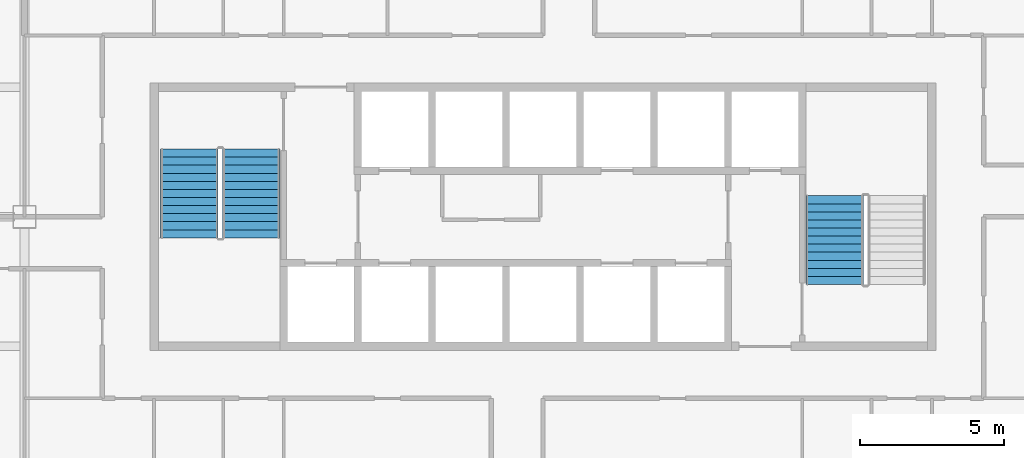
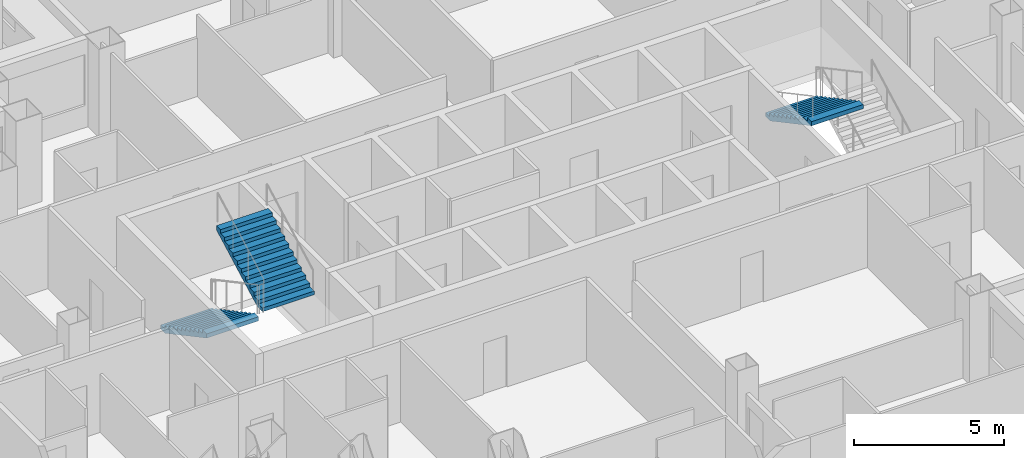
# One storey, part 11 of 19: 3 stair flights, 2 elements without a shape of their own.
"""IFC4 building model written with IfcOpenShell, lengths in metres."""

from ifc_helpers import new_model, si_unit, direction, frame, origin, place, context, subcontext, project, spatial, polygons, material, type_object, element, aggregate, save


model = new_model("IFC4")

# Units and contexts
model_context = context("Model", 3, precision=1e-05, world=origin(), true_north=direction((0.0, 1.0)))
body_context = subcontext(model_context, "Body", "Model", "MODEL_VIEW")
ifc_project = project(units=[si_unit("LENGTHUNIT", "METRE"), si_unit("AREAUNIT", "SQUARE_METRE"), si_unit("VOLUMEUNIT", "CUBIC_METRE"), si_unit("PLANEANGLEUNIT", "RADIAN"), si_unit("MASSUNIT", "GRAM", prefix="KILO")], contexts=[model_context])

# Site, building, storey
site_placement = place(None, origin())
site = spatial("IfcSite", under=ifc_project, at=site_placement, CompositionType="ELEMENT")
building_placement = place(site_placement, origin())
building = spatial("IfcBuilding", under=site, at=building_placement, Name="Caravel Reach Hotel and Residences", CompositionType="ELEMENT")
storey_placement = place(building_placement, frame((0.0, 0.0, 74.39990234375)))
storey = spatial("IfcBuildingStorey", under=building, at=storey_placement, Name="L17", CompositionType="ELEMENT", Elevation=74.39990234375)

# Stair, stair flights
ifc_material_1 = material(Name="Concrete C40", Category="concrete")
stair_type = type_object("IfcStairType", Name="Core stair", PredefinedType="HALF_TURN_STAIR", material=ifc_material_1)
stair_1_placement = place(storey_placement, origin())
stair_1 = element("IfcStair", 1, at=stair_1_placement, inside=storey, type_object=stair_type, Name="L17 Exit stair A", PredefinedType="HALF_TURN_STAIR")
ifc_material_2 = material(Name="Concrete C40", Category="concrete")
stair_flight_type = type_object("IfcStairFlightType", Name="Core stair flight", PredefinedType="STRAIGHT", material=ifc_material_2)
stair_flight_1_placement = place(storey_placement, frame((19.22509765625, 29.35009765625, 0.0), z_axis=(0.0, 0.0, 1.0), x_axis=(0.0, -1.0, 0.0)))
stair_flight_1 = element("IfcStairFlight", 2, at=stair_flight_1_placement, type_object=stair_flight_type, Name="ST-A flight 1", NumberOfRisers=12, NumberOfTreads=11, PredefinedType="STRAIGHT", RiserHeight=0.15, TreadLength=0.28, context=body_context, shape_type="Tessellation", body=[
    polygons([(0.3174408016601862, 1.0, 0.0), (0.3174408016601862, 0.6666666666666667, 0.0), (0.3174408016601862, 0.33333333333333337, 0.0), (0.3174408016601862, 0.0, 0.0), (0.3174408016601862, -0.33333333333333326, 0.0), (0.3174408016601862, -0.6666666666666667, 0.0), (0.3174408016601862, -1.0, 0.0), (3.081, 1.0, 1.479942427682043), (3.081, 0.6666666666666667, 1.479942427682043), (3.081, 0.33333333333333337, 1.479942427682043), (3.081, 0.0, 1.479942427682043), (3.081, -0.33333333333333326, 1.479942427682043), (3.081, -0.6666666666666667, 1.479942427682043), (3.081, -1.0, 1.479942427682043), (3.081, 1.0, 1.65), (3.081, 0.6666666666666667, 1.65), (3.081, 0.33333333333333337, 1.65), (3.081, 0.0, 1.65), (3.081, -0.33333333333333326, 1.65), (3.081, -0.6666666666666667, 1.65), (3.081, -1.0, 1.65), (2.8000000000000003, 1.0, 1.65), (2.8000000000000003, 0.6666666666666667, 1.65), (2.8000000000000003, 0.33333333333333337, 1.65), (2.8000000000000003, 0.0, 1.65), (2.8000000000000003, -0.33333333333333326, 1.65), (2.8000000000000003, -0.6666666666666667, 1.65), (2.8000000000000003, -1.0, 1.65), (2.8000000000000003, 1.0, 1.5), (2.8000000000000003, 0.6666666666666667, 1.5), (2.8000000000000003, 0.33333333333333337, 1.5), (2.8000000000000003, 0.0, 1.5), (2.8000000000000003, -0.33333333333333326, 1.5), (2.8000000000000003, -0.6666666666666667, 1.5), (2.8000000000000003, -1.0, 1.5), (2.5200000000000005, 1.0, 1.5), (2.5200000000000005, 0.6666666666666667, 1.5), (2.5200000000000005, 0.33333333333333337, 1.5), (2.5200000000000005, 0.0, 1.5), (2.5200000000000005, -0.33333333333333326, 1.5), (2.5200000000000005, -0.6666666666666667, 1.5), (2.5200000000000005, -1.0, 1.5), (2.5200000000000005, 1.0, 1.3499999999999999), (2.5200000000000005, 0.6666666666666667, 1.3499999999999999), (2.5200000000000005, 0.33333333333333337, 1.3499999999999999), (2.5200000000000005, 0.0, 1.3499999999999999), (2.5200000000000005, -0.33333333333333326, 1.3499999999999999), (2.5200000000000005, -0.6666666666666667, 1.3499999999999999), (2.5200000000000005, -1.0, 1.3499999999999999), (2.24, 1.0, 1.3499999999999999), (2.24, 0.6666666666666667, 1.3499999999999999), (2.24, 0.33333333333333337, 1.3499999999999999), (2.24, 0.0, 1.3499999999999999), (2.24, -0.33333333333333326, 1.3499999999999999), (2.24, -0.6666666666666667, 1.3499999999999999), (2.24, -1.0, 1.3499999999999999), (2.24, 1.0, 1.2), (2.24, 0.6666666666666667, 1.2), (2.24, 0.33333333333333337, 1.2), (2.24, 0.0, 1.2), (2.24, -0.33333333333333326, 1.2), (2.24, -0.6666666666666667, 1.2), (2.24, -1.0, 1.2), (1.9600000000000002, 1.0, 1.2), (1.9600000000000002, 0.6666666666666667, 1.2), (1.9600000000000002, 0.33333333333333337, 1.2), (1.9600000000000002, 0.0, 1.2), (1.9600000000000002, -0.33333333333333326, 1.2), (1.9600000000000002, -0.6666666666666667, 1.2), (1.9600000000000002, -1.0, 1.2), (1.9600000000000002, 1.0, 1.05), (1.9600000000000002, 0.6666666666666667, 1.05), (1.9600000000000002, 0.33333333333333337, 1.05), (1.9600000000000002, 0.0, 1.05), (1.9600000000000002, -0.33333333333333326, 1.05), (1.9600000000000002, -0.6666666666666667, 1.05), (1.9600000000000002, -1.0, 1.05), (1.6800000000000002, 1.0, 1.05), (1.6800000000000002, 0.6666666666666667, 1.05), (1.6800000000000002, 0.33333333333333337, 1.05), (1.6800000000000002, 0.0, 1.05), (1.6800000000000002, -0.33333333333333326, 1.05), (1.6800000000000002, -0.6666666666666667, 1.05), (1.6800000000000002, -1.0, 1.05), (1.6800000000000002, 1.0, 0.8999999999999999), (1.6800000000000002, 0.6666666666666667, 0.8999999999999999), (1.6800000000000002, 0.33333333333333337, 0.8999999999999999), (1.6800000000000002, 0.0, 0.8999999999999999), (1.6800000000000002, -0.33333333333333326, 0.8999999999999999), (1.6800000000000002, -0.6666666666666667, 0.8999999999999999), (1.6800000000000002, -1.0, 0.8999999999999999), (1.4000000000000001, 1.0, 0.8999999999999999), (1.4000000000000001, 0.6666666666666667, 0.8999999999999999), (1.4000000000000001, 0.33333333333333337, 0.8999999999999999), (1.4000000000000001, 0.0, 0.8999999999999999), (1.4000000000000001, -0.33333333333333326, 0.8999999999999999), (1.4000000000000001, -0.6666666666666667, 0.8999999999999999), (1.4000000000000001, -1.0, 0.8999999999999999), (1.4000000000000001, 1.0, 0.75), (1.4000000000000001, 0.6666666666666667, 0.75), (1.4000000000000001, 0.33333333333333337, 0.75), (1.4000000000000001, 0.0, 0.75), (1.4000000000000001, -0.33333333333333326, 0.75), (1.4000000000000001, -0.6666666666666667, 0.75), (1.4000000000000001, -1.0, 0.75), (1.12, 1.0, 0.75), (1.12, 0.6666666666666667, 0.75), (1.12, 0.33333333333333337, 0.75), (1.12, 0.0, 0.75), (1.12, -0.33333333333333326, 0.75), (1.12, -0.6666666666666667, 0.75), (1.12, -1.0, 0.75), (1.12, 1.0, 0.6), (1.12, 0.6666666666666667, 0.6), (1.12, 0.33333333333333337, 0.6), (1.12, 0.0, 0.6), (1.12, -0.33333333333333326, 0.6), (1.12, -0.6666666666666667, 0.6), (1.12, -1.0, 0.6), (0.8400000000000001, 1.0, 0.6), (0.8400000000000001, 0.6666666666666667, 0.6), (0.8400000000000001, 0.33333333333333337, 0.6), (0.8400000000000001, 0.0, 0.6), (0.8400000000000001, -0.33333333333333326, 0.6), (0.8400000000000001, -0.6666666666666667, 0.6), (0.8400000000000001, -1.0, 0.6), (0.8400000000000001, 1.0, 0.44999999999999996), (0.8400000000000001, 0.6666666666666667, 0.44999999999999996), (0.8400000000000001, 0.33333333333333337, 0.44999999999999996), (0.8400000000000001, 0.0, 0.44999999999999996), (0.8400000000000001, -0.33333333333333326, 0.44999999999999996), (0.8400000000000001, -0.6666666666666667, 0.44999999999999996), (0.8400000000000001, -1.0, 0.44999999999999996), (0.56, 1.0, 0.44999999999999996), (0.56, 0.6666666666666667, 0.44999999999999996), (0.56, 0.33333333333333337, 0.44999999999999996), (0.56, 0.0, 0.44999999999999996), (0.56, -0.33333333333333326, 0.44999999999999996), (0.56, -0.6666666666666667, 0.44999999999999996), (0.56, -1.0, 0.44999999999999996), (0.56, 1.0, 0.3), (0.56, 0.6666666666666667, 0.3), (0.56, 0.33333333333333337, 0.3), (0.56, 0.0, 0.3), (0.56, -0.33333333333333326, 0.3), (0.56, -0.6666666666666667, 0.3), (0.56, -1.0, 0.3), (0.28, 1.0, 0.3), (0.28, 0.6666666666666667, 0.3), (0.28, 0.33333333333333337, 0.3), (0.28, 0.0, 0.3), (0.28, -0.33333333333333326, 0.3), (0.28, -0.6666666666666667, 0.3), (0.28, -1.0, 0.3), (0.28, 1.0, 0.15), (0.28, 0.6666666666666667, 0.15), (0.28, 0.33333333333333337, 0.15), (0.28, 0.0, 0.15), (0.28, -0.33333333333333326, 0.15), (0.28, -0.6666666666666667, 0.15), (0.28, -1.0, 0.15), (-0.001, 1.0, 0.15), (-0.001, 0.6666666666666667, 0.15), (-0.001, 0.33333333333333337, 0.15), (-0.001, 0.0, 0.15), (-0.001, -0.33333333333333326, 0.15), (-0.001, -0.6666666666666667, 0.15), (-0.001, -1.0, 0.15), (-0.001, 1.0, 0.0), (-0.001, 0.6666666666666667, 0.0), (-0.001, 0.33333333333333337, 0.0), (-0.001, 0.0, 0.0), (-0.001, -0.33333333333333326, 0.0), (-0.001, -0.6666666666666667, 0.0), (-0.001, -1.0, 0.0)], [[[169, 162, 155, 148, 141, 134, 127, 120, 113, 106, 99, 92, 85, 78, 71, 64, 57, 50, 43, 36, 29, 22, 15, 8, 1]], [[7, 14, 21, 28, 35, 42, 49, 56, 63, 70, 77, 84, 91, 98, 105, 112, 119, 126, 133, 140, 147, 154, 161, 168, 175]], [[1, 8, 9, 2]], [[2, 9, 10, 3]], [[3, 10, 11, 4]], [[4, 11, 12, 5]], [[5, 12, 13, 6]], [[6, 13, 14, 7]], [[8, 15, 16, 9]], [[9, 16, 17, 10]], [[10, 17, 18, 11]], [[11, 18, 19, 12]], [[12, 19, 20, 13]], [[13, 20, 21, 14]], [[15, 22, 23, 16]], [[16, 23, 24, 17]], [[17, 24, 25, 18]], [[18, 25, 26, 19]], [[19, 26, 27, 20]], [[20, 27, 28, 21]], [[22, 29, 30, 23]], [[23, 30, 31, 24]], [[24, 31, 32, 25]], [[25, 32, 33, 26]], [[26, 33, 34, 27]], [[27, 34, 35, 28]], [[29, 36, 37, 30]], [[30, 37, 38, 31]], [[31, 38, 39, 32]], [[32, 39, 40, 33]], [[33, 40, 41, 34]], [[34, 41, 42, 35]], [[36, 43, 44, 37]], [[37, 44, 45, 38]], [[38, 45, 46, 39]], [[39, 46, 47, 40]], [[40, 47, 48, 41]], [[41, 48, 49, 42]], [[43, 50, 51, 44]], [[44, 51, 52, 45]], [[45, 52, 53, 46]], [[46, 53, 54, 47]], [[47, 54, 55, 48]], [[48, 55, 56, 49]], [[50, 57, 58, 51]], [[51, 58, 59, 52]], [[52, 59, 60, 53]], [[53, 60, 61, 54]], [[54, 61, 62, 55]], [[55, 62, 63, 56]], [[57, 64, 65, 58]], [[58, 65, 66, 59]], [[59, 66, 67, 60]], [[60, 67, 68, 61]], [[61, 68, 69, 62]], [[62, 69, 70, 63]], [[64, 71, 72, 65]], [[65, 72, 73, 66]], [[66, 73, 74, 67]], [[67, 74, 75, 68]], [[68, 75, 76, 69]], [[69, 76, 77, 70]], [[71, 78, 79, 72]], [[72, 79, 80, 73]], [[73, 80, 81, 74]], [[74, 81, 82, 75]], [[75, 82, 83, 76]], [[76, 83, 84, 77]], [[78, 85, 86, 79]], [[79, 86, 87, 80]], [[80, 87, 88, 81]], [[81, 88, 89, 82]], [[82, 89, 90, 83]], [[83, 90, 91, 84]], [[85, 92, 93, 86]], [[86, 93, 94, 87]], [[87, 94, 95, 88]], [[88, 95, 96, 89]], [[89, 96, 97, 90]], [[90, 97, 98, 91]], [[92, 99, 100, 93]], [[93, 100, 101, 94]], [[94, 101, 102, 95]], [[95, 102, 103, 96]], [[96, 103, 104, 97]], [[97, 104, 105, 98]], [[99, 106, 107, 100]], [[100, 107, 108, 101]], [[101, 108, 109, 102]], [[102, 109, 110, 103]], [[103, 110, 111, 104]], [[104, 111, 112, 105]], [[106, 113, 114, 107]], [[107, 114, 115, 108]], [[108, 115, 116, 109]], [[109, 116, 117, 110]], [[110, 117, 118, 111]], [[111, 118, 119, 112]], [[113, 120, 121, 114]], [[114, 121, 122, 115]], [[115, 122, 123, 116]], [[116, 123, 124, 117]], [[117, 124, 125, 118]], [[118, 125, 126, 119]], [[120, 127, 128, 121]], [[121, 128, 129, 122]], [[122, 129, 130, 123]], [[123, 130, 131, 124]], [[124, 131, 132, 125]], [[125, 132, 133, 126]], [[127, 134, 135, 128]], [[128, 135, 136, 129]], [[129, 136, 137, 130]], [[130, 137, 138, 131]], [[131, 138, 139, 132]], [[132, 139, 140, 133]], [[134, 141, 142, 135]], [[135, 142, 143, 136]], [[136, 143, 144, 137]], [[137, 144, 145, 138]], [[138, 145, 146, 139]], [[139, 146, 147, 140]], [[141, 148, 149, 142]], [[142, 149, 150, 143]], [[143, 150, 151, 144]], [[144, 151, 152, 145]], [[145, 152, 153, 146]], [[146, 153, 154, 147]], [[148, 155, 156, 149]], [[149, 156, 157, 150]], [[150, 157, 158, 151]], [[151, 158, 159, 152]], [[152, 159, 160, 153]], [[153, 160, 161, 154]], [[155, 162, 163, 156]], [[156, 163, 164, 157]], [[157, 164, 165, 158]], [[158, 165, 166, 159]], [[159, 166, 167, 160]], [[160, 167, 168, 161]], [[162, 169, 170, 163]], [[163, 170, 171, 164]], [[164, 171, 172, 165]], [[165, 172, 173, 166]], [[166, 173, 174, 167]], [[167, 174, 175, 168]], [[169, 1, 2, 170]], [[170, 2, 3, 171]], [[171, 3, 4, 172]], [[172, 4, 5, 173]], [[173, 5, 6, 174]], [[174, 6, 7, 175]]], closed=True),
])
stair_flight_2_placement = place(storey_placement, frame((21.375, 26.27001953125, 1.800048828125), z_axis=(0.0, 0.0, 1.0), x_axis=(0.0, 1.0, 0.0)))
stair_flight_2 = element("IfcStairFlight", 3, at=stair_flight_2_placement, type_object=stair_flight_type, Name="ST-A flight 2", NumberOfRisers=12, NumberOfTreads=11, PredefinedType="STRAIGHT", RiserHeight=0.15, TreadLength=0.28, context=body_context, shape_type="Tessellation", body=[
    polygons([(0.3174408016601862, 1.0, 0.0), (0.3174408016601862, 0.6666666666666667, 0.0), (0.3174408016601862, 0.33333333333333337, 0.0), (0.3174408016601862, 0.0, 0.0), (0.3174408016601862, -0.33333333333333326, 0.0), (0.3174408016601862, -0.6666666666666667, 0.0), (0.3174408016601862, -1.0, 0.0), (3.081, 1.0, 1.479942427682043), (3.081, 0.6666666666666667, 1.479942427682043), (3.081, 0.33333333333333337, 1.479942427682043), (3.081, 0.0, 1.479942427682043), (3.081, -0.33333333333333326, 1.479942427682043), (3.081, -0.6666666666666667, 1.479942427682043), (3.081, -1.0, 1.479942427682043), (3.081, 1.0, 1.65), (3.081, 0.6666666666666667, 1.65), (3.081, 0.33333333333333337, 1.65), (3.081, 0.0, 1.65), (3.081, -0.33333333333333326, 1.65), (3.081, -0.6666666666666667, 1.65), (3.081, -1.0, 1.65), (2.8000000000000003, 1.0, 1.65), (2.8000000000000003, 0.6666666666666667, 1.65), (2.8000000000000003, 0.33333333333333337, 1.65), (2.8000000000000003, 0.0, 1.65), (2.8000000000000003, -0.33333333333333326, 1.65), (2.8000000000000003, -0.6666666666666667, 1.65), (2.8000000000000003, -1.0, 1.65), (2.8000000000000003, 1.0, 1.5), (2.8000000000000003, 0.6666666666666667, 1.5), (2.8000000000000003, 0.33333333333333337, 1.5), (2.8000000000000003, 0.0, 1.5), (2.8000000000000003, -0.33333333333333326, 1.5), (2.8000000000000003, -0.6666666666666667, 1.5), (2.8000000000000003, -1.0, 1.5), (2.5200000000000005, 1.0, 1.5), (2.5200000000000005, 0.6666666666666667, 1.5), (2.5200000000000005, 0.33333333333333337, 1.5), (2.5200000000000005, 0.0, 1.5), (2.5200000000000005, -0.33333333333333326, 1.5), (2.5200000000000005, -0.6666666666666667, 1.5), (2.5200000000000005, -1.0, 1.5), (2.5200000000000005, 1.0, 1.3499999999999999), (2.5200000000000005, 0.6666666666666667, 1.3499999999999999), (2.5200000000000005, 0.33333333333333337, 1.3499999999999999), (2.5200000000000005, 0.0, 1.3499999999999999), (2.5200000000000005, -0.33333333333333326, 1.3499999999999999), (2.5200000000000005, -0.6666666666666667, 1.3499999999999999), (2.5200000000000005, -1.0, 1.3499999999999999), (2.24, 1.0, 1.3499999999999999), (2.24, 0.6666666666666667, 1.3499999999999999), (2.24, 0.33333333333333337, 1.3499999999999999), (2.24, 0.0, 1.3499999999999999), (2.24, -0.33333333333333326, 1.3499999999999999), (2.24, -0.6666666666666667, 1.3499999999999999), (2.24, -1.0, 1.3499999999999999), (2.24, 1.0, 1.2), (2.24, 0.6666666666666667, 1.2), (2.24, 0.33333333333333337, 1.2), (2.24, 0.0, 1.2), (2.24, -0.33333333333333326, 1.2), (2.24, -0.6666666666666667, 1.2), (2.24, -1.0, 1.2), (1.9600000000000002, 1.0, 1.2), (1.9600000000000002, 0.6666666666666667, 1.2), (1.9600000000000002, 0.33333333333333337, 1.2), (1.9600000000000002, 0.0, 1.2), (1.9600000000000002, -0.33333333333333326, 1.2), (1.9600000000000002, -0.6666666666666667, 1.2), (1.9600000000000002, -1.0, 1.2), (1.9600000000000002, 1.0, 1.05), (1.9600000000000002, 0.6666666666666667, 1.05), (1.9600000000000002, 0.33333333333333337, 1.05), (1.9600000000000002, 0.0, 1.05), (1.9600000000000002, -0.33333333333333326, 1.05), (1.9600000000000002, -0.6666666666666667, 1.05), (1.9600000000000002, -1.0, 1.05), (1.6800000000000002, 1.0, 1.05), (1.6800000000000002, 0.6666666666666667, 1.05), (1.6800000000000002, 0.33333333333333337, 1.05), (1.6800000000000002, 0.0, 1.05), (1.6800000000000002, -0.33333333333333326, 1.05), (1.6800000000000002, -0.6666666666666667, 1.05), (1.6800000000000002, -1.0, 1.05), (1.6800000000000002, 1.0, 0.8999999999999999), (1.6800000000000002, 0.6666666666666667, 0.8999999999999999), (1.6800000000000002, 0.33333333333333337, 0.8999999999999999), (1.6800000000000002, 0.0, 0.8999999999999999), (1.6800000000000002, -0.33333333333333326, 0.8999999999999999), (1.6800000000000002, -0.6666666666666667, 0.8999999999999999), (1.6800000000000002, -1.0, 0.8999999999999999), (1.4000000000000001, 1.0, 0.8999999999999999), (1.4000000000000001, 0.6666666666666667, 0.8999999999999999), (1.4000000000000001, 0.33333333333333337, 0.8999999999999999), (1.4000000000000001, 0.0, 0.8999999999999999), (1.4000000000000001, -0.33333333333333326, 0.8999999999999999), (1.4000000000000001, -0.6666666666666667, 0.8999999999999999), (1.4000000000000001, -1.0, 0.8999999999999999), (1.4000000000000001, 1.0, 0.75), (1.4000000000000001, 0.6666666666666667, 0.75), (1.4000000000000001, 0.33333333333333337, 0.75), (1.4000000000000001, 0.0, 0.75), (1.4000000000000001, -0.33333333333333326, 0.75), (1.4000000000000001, -0.6666666666666667, 0.75), (1.4000000000000001, -1.0, 0.75), (1.12, 1.0, 0.75), (1.12, 0.6666666666666667, 0.75), (1.12, 0.33333333333333337, 0.75), (1.12, 0.0, 0.75), (1.12, -0.33333333333333326, 0.75), (1.12, -0.6666666666666667, 0.75), (1.12, -1.0, 0.75), (1.12, 1.0, 0.6), (1.12, 0.6666666666666667, 0.6), (1.12, 0.33333333333333337, 0.6), (1.12, 0.0, 0.6), (1.12, -0.33333333333333326, 0.6), (1.12, -0.6666666666666667, 0.6), (1.12, -1.0, 0.6), (0.8400000000000001, 1.0, 0.6), (0.8400000000000001, 0.6666666666666667, 0.6), (0.8400000000000001, 0.33333333333333337, 0.6), (0.8400000000000001, 0.0, 0.6), (0.8400000000000001, -0.33333333333333326, 0.6), (0.8400000000000001, -0.6666666666666667, 0.6), (0.8400000000000001, -1.0, 0.6), (0.8400000000000001, 1.0, 0.44999999999999996), (0.8400000000000001, 0.6666666666666667, 0.44999999999999996), (0.8400000000000001, 0.33333333333333337, 0.44999999999999996), (0.8400000000000001, 0.0, 0.44999999999999996), (0.8400000000000001, -0.33333333333333326, 0.44999999999999996), (0.8400000000000001, -0.6666666666666667, 0.44999999999999996), (0.8400000000000001, -1.0, 0.44999999999999996), (0.56, 1.0, 0.44999999999999996), (0.56, 0.6666666666666667, 0.44999999999999996), (0.56, 0.33333333333333337, 0.44999999999999996), (0.56, 0.0, 0.44999999999999996), (0.56, -0.33333333333333326, 0.44999999999999996), (0.56, -0.6666666666666667, 0.44999999999999996), (0.56, -1.0, 0.44999999999999996), (0.56, 1.0, 0.3), (0.56, 0.6666666666666667, 0.3), (0.56, 0.33333333333333337, 0.3), (0.56, 0.0, 0.3), (0.56, -0.33333333333333326, 0.3), (0.56, -0.6666666666666667, 0.3), (0.56, -1.0, 0.3), (0.28, 1.0, 0.3), (0.28, 0.6666666666666667, 0.3), (0.28, 0.33333333333333337, 0.3), (0.28, 0.0, 0.3), (0.28, -0.33333333333333326, 0.3), (0.28, -0.6666666666666667, 0.3), (0.28, -1.0, 0.3), (0.28, 1.0, 0.15), (0.28, 0.6666666666666667, 0.15), (0.28, 0.33333333333333337, 0.15), (0.28, 0.0, 0.15), (0.28, -0.33333333333333326, 0.15), (0.28, -0.6666666666666667, 0.15), (0.28, -1.0, 0.15), (-0.001, 1.0, 0.15), (-0.001, 0.6666666666666667, 0.15), (-0.001, 0.33333333333333337, 0.15), (-0.001, 0.0, 0.15), (-0.001, -0.33333333333333326, 0.15), (-0.001, -0.6666666666666667, 0.15), (-0.001, -1.0, 0.15), (-0.001, 1.0, 0.0), (-0.001, 0.6666666666666667, 0.0), (-0.001, 0.33333333333333337, 0.0), (-0.001, 0.0, 0.0), (-0.001, -0.33333333333333326, 0.0), (-0.001, -0.6666666666666667, 0.0), (-0.001, -1.0, 0.0)], [[[169, 162, 155, 148, 141, 134, 127, 120, 113, 106, 99, 92, 85, 78, 71, 64, 57, 50, 43, 36, 29, 22, 15, 8, 1]], [[7, 14, 21, 28, 35, 42, 49, 56, 63, 70, 77, 84, 91, 98, 105, 112, 119, 126, 133, 140, 147, 154, 161, 168, 175]], [[1, 8, 9, 2]], [[2, 9, 10, 3]], [[3, 10, 11, 4]], [[4, 11, 12, 5]], [[5, 12, 13, 6]], [[6, 13, 14, 7]], [[8, 15, 16, 9]], [[9, 16, 17, 10]], [[10, 17, 18, 11]], [[11, 18, 19, 12]], [[12, 19, 20, 13]], [[13, 20, 21, 14]], [[15, 22, 23, 16]], [[16, 23, 24, 17]], [[17, 24, 25, 18]], [[18, 25, 26, 19]], [[19, 26, 27, 20]], [[20, 27, 28, 21]], [[22, 29, 30, 23]], [[23, 30, 31, 24]], [[24, 31, 32, 25]], [[25, 32, 33, 26]], [[26, 33, 34, 27]], [[27, 34, 35, 28]], [[29, 36, 37, 30]], [[30, 37, 38, 31]], [[31, 38, 39, 32]], [[32, 39, 40, 33]], [[33, 40, 41, 34]], [[34, 41, 42, 35]], [[36, 43, 44, 37]], [[37, 44, 45, 38]], [[38, 45, 46, 39]], [[39, 46, 47, 40]], [[40, 47, 48, 41]], [[41, 48, 49, 42]], [[43, 50, 51, 44]], [[44, 51, 52, 45]], [[45, 52, 53, 46]], [[46, 53, 54, 47]], [[47, 54, 55, 48]], [[48, 55, 56, 49]], [[50, 57, 58, 51]], [[51, 58, 59, 52]], [[52, 59, 60, 53]], [[53, 60, 61, 54]], [[54, 61, 62, 55]], [[55, 62, 63, 56]], [[57, 64, 65, 58]], [[58, 65, 66, 59]], [[59, 66, 67, 60]], [[60, 67, 68, 61]], [[61, 68, 69, 62]], [[62, 69, 70, 63]], [[64, 71, 72, 65]], [[65, 72, 73, 66]], [[66, 73, 74, 67]], [[67, 74, 75, 68]], [[68, 75, 76, 69]], [[69, 76, 77, 70]], [[71, 78, 79, 72]], [[72, 79, 80, 73]], [[73, 80, 81, 74]], [[74, 81, 82, 75]], [[75, 82, 83, 76]], [[76, 83, 84, 77]], [[78, 85, 86, 79]], [[79, 86, 87, 80]], [[80, 87, 88, 81]], [[81, 88, 89, 82]], [[82, 89, 90, 83]], [[83, 90, 91, 84]], [[85, 92, 93, 86]], [[86, 93, 94, 87]], [[87, 94, 95, 88]], [[88, 95, 96, 89]], [[89, 96, 97, 90]], [[90, 97, 98, 91]], [[92, 99, 100, 93]], [[93, 100, 101, 94]], [[94, 101, 102, 95]], [[95, 102, 103, 96]], [[96, 103, 104, 97]], [[97, 104, 105, 98]], [[99, 106, 107, 100]], [[100, 107, 108, 101]], [[101, 108, 109, 102]], [[102, 109, 110, 103]], [[103, 110, 111, 104]], [[104, 111, 112, 105]], [[106, 113, 114, 107]], [[107, 114, 115, 108]], [[108, 115, 116, 109]], [[109, 116, 117, 110]], [[110, 117, 118, 111]], [[111, 118, 119, 112]], [[113, 120, 121, 114]], [[114, 121, 122, 115]], [[115, 122, 123, 116]], [[116, 123, 124, 117]], [[117, 124, 125, 118]], [[118, 125, 126, 119]], [[120, 127, 128, 121]], [[121, 128, 129, 122]], [[122, 129, 130, 123]], [[123, 130, 131, 124]], [[124, 131, 132, 125]], [[125, 132, 133, 126]], [[127, 134, 135, 128]], [[128, 135, 136, 129]], [[129, 136, 137, 130]], [[130, 137, 138, 131]], [[131, 138, 139, 132]], [[132, 139, 140, 133]], [[134, 141, 142, 135]], [[135, 142, 143, 136]], [[136, 143, 144, 137]], [[137, 144, 145, 138]], [[138, 145, 146, 139]], [[139, 146, 147, 140]], [[141, 148, 149, 142]], [[142, 149, 150, 143]], [[143, 150, 151, 144]], [[144, 151, 152, 145]], [[145, 152, 153, 146]], [[146, 153, 154, 147]], [[148, 155, 156, 149]], [[149, 156, 157, 150]], [[150, 157, 158, 151]], [[151, 158, 159, 152]], [[152, 159, 160, 153]], [[153, 160, 161, 154]], [[155, 162, 163, 156]], [[156, 163, 164, 157]], [[157, 164, 165, 158]], [[158, 165, 166, 159]], [[159, 166, 167, 160]], [[160, 167, 168, 161]], [[162, 169, 170, 163]], [[163, 170, 171, 164]], [[164, 171, 172, 165]], [[165, 172, 173, 166]], [[166, 173, 174, 167]], [[167, 174, 175, 168]], [[169, 1, 2, 170]], [[170, 2, 3, 171]], [[171, 3, 4, 172]], [[172, 4, 5, 173]], [[173, 5, 6, 174]], [[174, 6, 7, 175]]], closed=True),
])
aggregate(stair_1, [stair_flight_1, stair_flight_2])

# Stair, stair flight
stair_2_placement = place(storey_placement, origin())
stair_2 = element("IfcStair", 4, at=stair_2_placement, inside=storey, type_object=stair_type, Name="L17 Exit stair B", PredefinedType="HALF_TURN_STAIR")
stair_flight_3_placement = place(storey_placement, frame((41.625, 27.72998046875, 1.800048828125), z_axis=(0.0, 0.0, 1.0), x_axis=(0.0, -1.0, 0.0)))
stair_flight_3 = element("IfcStairFlight", 5, at=stair_flight_3_placement, type_object=stair_flight_type, Name="ST-B flight 2", NumberOfRisers=12, NumberOfTreads=11, PredefinedType="STRAIGHT", RiserHeight=0.15, TreadLength=0.28, context=body_context, shape_type="Tessellation", body=[
    polygons([(0.3174408016601862, 1.0, 0.0), (0.3174408016601862, 0.6666666666666667, 0.0), (0.3174408016601862, 0.33333333333333337, 0.0), (0.3174408016601862, 0.0, 0.0), (0.3174408016601862, -0.33333333333333326, 0.0), (0.3174408016601862, -0.6666666666666667, 0.0), (0.3174408016601862, -1.0, 0.0), (3.081, 1.0, 1.479942427682043), (3.081, 0.6666666666666667, 1.479942427682043), (3.081, 0.33333333333333337, 1.479942427682043), (3.081, 0.0, 1.479942427682043), (3.081, -0.33333333333333326, 1.479942427682043), (3.081, -0.6666666666666667, 1.479942427682043), (3.081, -1.0, 1.479942427682043), (3.081, 1.0, 1.65), (3.081, 0.6666666666666667, 1.65), (3.081, 0.33333333333333337, 1.65), (3.081, 0.0, 1.65), (3.081, -0.33333333333333326, 1.65), (3.081, -0.6666666666666667, 1.65), (3.081, -1.0, 1.65), (2.8000000000000003, 1.0, 1.65), (2.8000000000000003, 0.6666666666666667, 1.65), (2.8000000000000003, 0.33333333333333337, 1.65), (2.8000000000000003, 0.0, 1.65), (2.8000000000000003, -0.33333333333333326, 1.65), (2.8000000000000003, -0.6666666666666667, 1.65), (2.8000000000000003, -1.0, 1.65), (2.8000000000000003, 1.0, 1.5), (2.8000000000000003, 0.6666666666666667, 1.5), (2.8000000000000003, 0.33333333333333337, 1.5), (2.8000000000000003, 0.0, 1.5), (2.8000000000000003, -0.33333333333333326, 1.5), (2.8000000000000003, -0.6666666666666667, 1.5), (2.8000000000000003, -1.0, 1.5), (2.5200000000000005, 1.0, 1.5), (2.5200000000000005, 0.6666666666666667, 1.5), (2.5200000000000005, 0.33333333333333337, 1.5), (2.5200000000000005, 0.0, 1.5), (2.5200000000000005, -0.33333333333333326, 1.5), (2.5200000000000005, -0.6666666666666667, 1.5), (2.5200000000000005, -1.0, 1.5), (2.5200000000000005, 1.0, 1.3499999999999999), (2.5200000000000005, 0.6666666666666667, 1.3499999999999999), (2.5200000000000005, 0.33333333333333337, 1.3499999999999999), (2.5200000000000005, 0.0, 1.3499999999999999), (2.5200000000000005, -0.33333333333333326, 1.3499999999999999), (2.5200000000000005, -0.6666666666666667, 1.3499999999999999), (2.5200000000000005, -1.0, 1.3499999999999999), (2.24, 1.0, 1.3499999999999999), (2.24, 0.6666666666666667, 1.3499999999999999), (2.24, 0.33333333333333337, 1.3499999999999999), (2.24, 0.0, 1.3499999999999999), (2.24, -0.33333333333333326, 1.3499999999999999), (2.24, -0.6666666666666667, 1.3499999999999999), (2.24, -1.0, 1.3499999999999999), (2.24, 1.0, 1.2), (2.24, 0.6666666666666667, 1.2), (2.24, 0.33333333333333337, 1.2), (2.24, 0.0, 1.2), (2.24, -0.33333333333333326, 1.2), (2.24, -0.6666666666666667, 1.2), (2.24, -1.0, 1.2), (1.9600000000000002, 1.0, 1.2), (1.9600000000000002, 0.6666666666666667, 1.2), (1.9600000000000002, 0.33333333333333337, 1.2), (1.9600000000000002, 0.0, 1.2), (1.9600000000000002, -0.33333333333333326, 1.2), (1.9600000000000002, -0.6666666666666667, 1.2), (1.9600000000000002, -1.0, 1.2), (1.9600000000000002, 1.0, 1.05), (1.9600000000000002, 0.6666666666666667, 1.05), (1.9600000000000002, 0.33333333333333337, 1.05), (1.9600000000000002, 0.0, 1.05), (1.9600000000000002, -0.33333333333333326, 1.05), (1.9600000000000002, -0.6666666666666667, 1.05), (1.9600000000000002, -1.0, 1.05), (1.6800000000000002, 1.0, 1.05), (1.6800000000000002, 0.6666666666666667, 1.05), (1.6800000000000002, 0.33333333333333337, 1.05), (1.6800000000000002, 0.0, 1.05), (1.6800000000000002, -0.33333333333333326, 1.05), (1.6800000000000002, -0.6666666666666667, 1.05), (1.6800000000000002, -1.0, 1.05), (1.6800000000000002, 1.0, 0.8999999999999999), (1.6800000000000002, 0.6666666666666667, 0.8999999999999999), (1.6800000000000002, 0.33333333333333337, 0.8999999999999999), (1.6800000000000002, 0.0, 0.8999999999999999), (1.6800000000000002, -0.33333333333333326, 0.8999999999999999), (1.6800000000000002, -0.6666666666666667, 0.8999999999999999), (1.6800000000000002, -1.0, 0.8999999999999999), (1.4000000000000001, 1.0, 0.8999999999999999), (1.4000000000000001, 0.6666666666666667, 0.8999999999999999), (1.4000000000000001, 0.33333333333333337, 0.8999999999999999), (1.4000000000000001, 0.0, 0.8999999999999999), (1.4000000000000001, -0.33333333333333326, 0.8999999999999999), (1.4000000000000001, -0.6666666666666667, 0.8999999999999999), (1.4000000000000001, -1.0, 0.8999999999999999), (1.4000000000000001, 1.0, 0.75), (1.4000000000000001, 0.6666666666666667, 0.75), (1.4000000000000001, 0.33333333333333337, 0.75), (1.4000000000000001, 0.0, 0.75), (1.4000000000000001, -0.33333333333333326, 0.75), (1.4000000000000001, -0.6666666666666667, 0.75), (1.4000000000000001, -1.0, 0.75), (1.12, 1.0, 0.75), (1.12, 0.6666666666666667, 0.75), (1.12, 0.33333333333333337, 0.75), (1.12, 0.0, 0.75), (1.12, -0.33333333333333326, 0.75), (1.12, -0.6666666666666667, 0.75), (1.12, -1.0, 0.75), (1.12, 1.0, 0.6), (1.12, 0.6666666666666667, 0.6), (1.12, 0.33333333333333337, 0.6), (1.12, 0.0, 0.6), (1.12, -0.33333333333333326, 0.6), (1.12, -0.6666666666666667, 0.6), (1.12, -1.0, 0.6), (0.8400000000000001, 1.0, 0.6), (0.8400000000000001, 0.6666666666666667, 0.6), (0.8400000000000001, 0.33333333333333337, 0.6), (0.8400000000000001, 0.0, 0.6), (0.8400000000000001, -0.33333333333333326, 0.6), (0.8400000000000001, -0.6666666666666667, 0.6), (0.8400000000000001, -1.0, 0.6), (0.8400000000000001, 1.0, 0.44999999999999996), (0.8400000000000001, 0.6666666666666667, 0.44999999999999996), (0.8400000000000001, 0.33333333333333337, 0.44999999999999996), (0.8400000000000001, 0.0, 0.44999999999999996), (0.8400000000000001, -0.33333333333333326, 0.44999999999999996), (0.8400000000000001, -0.6666666666666667, 0.44999999999999996), (0.8400000000000001, -1.0, 0.44999999999999996), (0.56, 1.0, 0.44999999999999996), (0.56, 0.6666666666666667, 0.44999999999999996), (0.56, 0.33333333333333337, 0.44999999999999996), (0.56, 0.0, 0.44999999999999996), (0.56, -0.33333333333333326, 0.44999999999999996), (0.56, -0.6666666666666667, 0.44999999999999996), (0.56, -1.0, 0.44999999999999996), (0.56, 1.0, 0.3), (0.56, 0.6666666666666667, 0.3), (0.56, 0.33333333333333337, 0.3), (0.56, 0.0, 0.3), (0.56, -0.33333333333333326, 0.3), (0.56, -0.6666666666666667, 0.3), (0.56, -1.0, 0.3), (0.28, 1.0, 0.3), (0.28, 0.6666666666666667, 0.3), (0.28, 0.33333333333333337, 0.3), (0.28, 0.0, 0.3), (0.28, -0.33333333333333326, 0.3), (0.28, -0.6666666666666667, 0.3), (0.28, -1.0, 0.3), (0.28, 1.0, 0.15), (0.28, 0.6666666666666667, 0.15), (0.28, 0.33333333333333337, 0.15), (0.28, 0.0, 0.15), (0.28, -0.33333333333333326, 0.15), (0.28, -0.6666666666666667, 0.15), (0.28, -1.0, 0.15), (-0.001, 1.0, 0.15), (-0.001, 0.6666666666666667, 0.15), (-0.001, 0.33333333333333337, 0.15), (-0.001, 0.0, 0.15), (-0.001, -0.33333333333333326, 0.15), (-0.001, -0.6666666666666667, 0.15), (-0.001, -1.0, 0.15), (-0.001, 1.0, 0.0), (-0.001, 0.6666666666666667, 0.0), (-0.001, 0.33333333333333337, 0.0), (-0.001, 0.0, 0.0), (-0.001, -0.33333333333333326, 0.0), (-0.001, -0.6666666666666667, 0.0), (-0.001, -1.0, 0.0)], [[[169, 162, 155, 148, 141, 134, 127, 120, 113, 106, 99, 92, 85, 78, 71, 64, 57, 50, 43, 36, 29, 22, 15, 8, 1]], [[7, 14, 21, 28, 35, 42, 49, 56, 63, 70, 77, 84, 91, 98, 105, 112, 119, 126, 133, 140, 147, 154, 161, 168, 175]], [[1, 8, 9, 2]], [[2, 9, 10, 3]], [[3, 10, 11, 4]], [[4, 11, 12, 5]], [[5, 12, 13, 6]], [[6, 13, 14, 7]], [[8, 15, 16, 9]], [[9, 16, 17, 10]], [[10, 17, 18, 11]], [[11, 18, 19, 12]], [[12, 19, 20, 13]], [[13, 20, 21, 14]], [[15, 22, 23, 16]], [[16, 23, 24, 17]], [[17, 24, 25, 18]], [[18, 25, 26, 19]], [[19, 26, 27, 20]], [[20, 27, 28, 21]], [[22, 29, 30, 23]], [[23, 30, 31, 24]], [[24, 31, 32, 25]], [[25, 32, 33, 26]], [[26, 33, 34, 27]], [[27, 34, 35, 28]], [[29, 36, 37, 30]], [[30, 37, 38, 31]], [[31, 38, 39, 32]], [[32, 39, 40, 33]], [[33, 40, 41, 34]], [[34, 41, 42, 35]], [[36, 43, 44, 37]], [[37, 44, 45, 38]], [[38, 45, 46, 39]], [[39, 46, 47, 40]], [[40, 47, 48, 41]], [[41, 48, 49, 42]], [[43, 50, 51, 44]], [[44, 51, 52, 45]], [[45, 52, 53, 46]], [[46, 53, 54, 47]], [[47, 54, 55, 48]], [[48, 55, 56, 49]], [[50, 57, 58, 51]], [[51, 58, 59, 52]], [[52, 59, 60, 53]], [[53, 60, 61, 54]], [[54, 61, 62, 55]], [[55, 62, 63, 56]], [[57, 64, 65, 58]], [[58, 65, 66, 59]], [[59, 66, 67, 60]], [[60, 67, 68, 61]], [[61, 68, 69, 62]], [[62, 69, 70, 63]], [[64, 71, 72, 65]], [[65, 72, 73, 66]], [[66, 73, 74, 67]], [[67, 74, 75, 68]], [[68, 75, 76, 69]], [[69, 76, 77, 70]], [[71, 78, 79, 72]], [[72, 79, 80, 73]], [[73, 80, 81, 74]], [[74, 81, 82, 75]], [[75, 82, 83, 76]], [[76, 83, 84, 77]], [[78, 85, 86, 79]], [[79, 86, 87, 80]], [[80, 87, 88, 81]], [[81, 88, 89, 82]], [[82, 89, 90, 83]], [[83, 90, 91, 84]], [[85, 92, 93, 86]], [[86, 93, 94, 87]], [[87, 94, 95, 88]], [[88, 95, 96, 89]], [[89, 96, 97, 90]], [[90, 97, 98, 91]], [[92, 99, 100, 93]], [[93, 100, 101, 94]], [[94, 101, 102, 95]], [[95, 102, 103, 96]], [[96, 103, 104, 97]], [[97, 104, 105, 98]], [[99, 106, 107, 100]], [[100, 107, 108, 101]], [[101, 108, 109, 102]], [[102, 109, 110, 103]], [[103, 110, 111, 104]], [[104, 111, 112, 105]], [[106, 113, 114, 107]], [[107, 114, 115, 108]], [[108, 115, 116, 109]], [[109, 116, 117, 110]], [[110, 117, 118, 111]], [[111, 118, 119, 112]], [[113, 120, 121, 114]], [[114, 121, 122, 115]], [[115, 122, 123, 116]], [[116, 123, 124, 117]], [[117, 124, 125, 118]], [[118, 125, 126, 119]], [[120, 127, 128, 121]], [[121, 128, 129, 122]], [[122, 129, 130, 123]], [[123, 130, 131, 124]], [[124, 131, 132, 125]], [[125, 132, 133, 126]], [[127, 134, 135, 128]], [[128, 135, 136, 129]], [[129, 136, 137, 130]], [[130, 137, 138, 131]], [[131, 138, 139, 132]], [[132, 139, 140, 133]], [[134, 141, 142, 135]], [[135, 142, 143, 136]], [[136, 143, 144, 137]], [[137, 144, 145, 138]], [[138, 145, 146, 139]], [[139, 146, 147, 140]], [[141, 148, 149, 142]], [[142, 149, 150, 143]], [[143, 150, 151, 144]], [[144, 151, 152, 145]], [[145, 152, 153, 146]], [[146, 153, 154, 147]], [[148, 155, 156, 149]], [[149, 156, 157, 150]], [[150, 157, 158, 151]], [[151, 158, 159, 152]], [[152, 159, 160, 153]], [[153, 160, 161, 154]], [[155, 162, 163, 156]], [[156, 163, 164, 157]], [[157, 164, 165, 158]], [[158, 165, 166, 159]], [[159, 166, 167, 160]], [[160, 167, 168, 161]], [[162, 169, 170, 163]], [[163, 170, 171, 164]], [[164, 171, 172, 165]], [[165, 172, 173, 166]], [[166, 173, 174, 167]], [[167, 174, 175, 168]], [[169, 1, 2, 170]], [[170, 2, 3, 171]], [[171, 3, 4, 172]], [[172, 4, 5, 173]], [[173, 5, 6, 174]], [[174, 6, 7, 175]]], closed=True),
])
aggregate(stair_2, [stair_flight_3])

save(model, "model.ifc")
